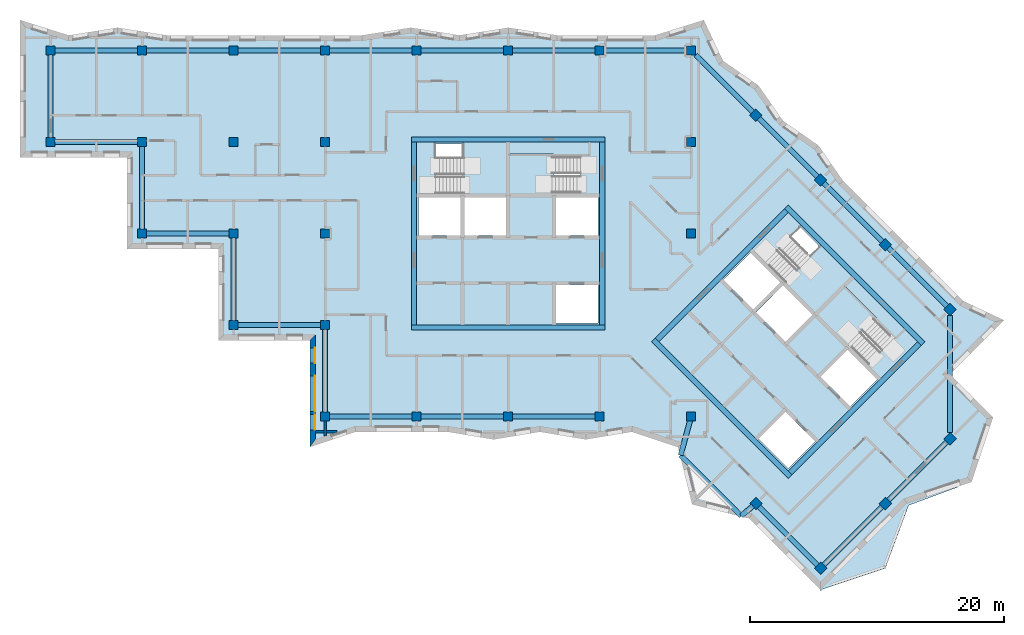
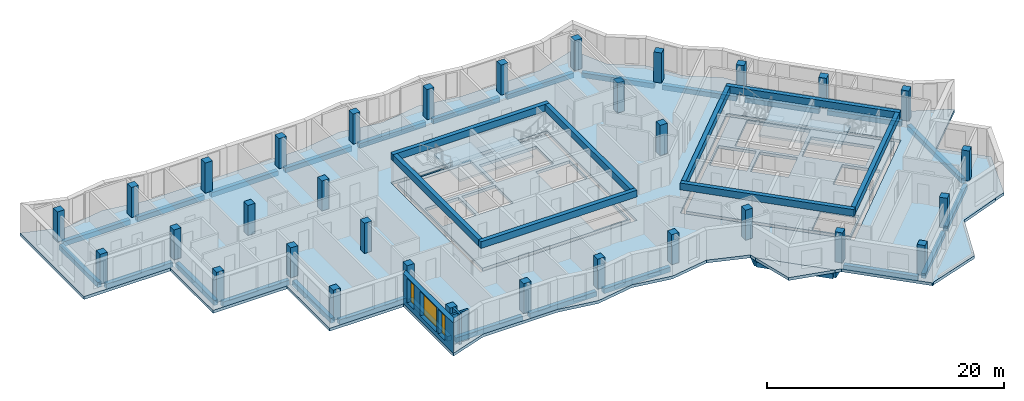
# One storey, part 1 of 12: 36 beams, 32 columns, 8 slabs, 3 walls, 3 windows, 17 openings, 4 elements without a shape of their own.
"""IFC4 building model written with IfcOpenShell, lengths in metres."""

from ifc_helpers import new_model, si_unit, direction, frame, frame_2d, origin, origin_2d, place, context, subcontext, project, spatial, polyline, rectangle, outline, extrude, material, layer, layer_set, material_profile, profile_set, type_object, element, fill, aggregate, save


model = new_model("IFC4")

# Units and contexts
model_context = context("Model", 3, precision=1e-05, world=origin(), true_north=direction((0.0, 1.0)))
body_context = subcontext(model_context, "Body", "Model", "MODEL_VIEW")
ifc_project = project(units=[si_unit("LENGTHUNIT", "METRE"), si_unit("AREAUNIT", "SQUARE_METRE"), si_unit("VOLUMEUNIT", "CUBIC_METRE"), si_unit("PLANEANGLEUNIT", "RADIAN"), si_unit("MASSUNIT", "GRAM", prefix="KILO")], contexts=[model_context])

# Site, building, storey
site_placement = place(None, origin())
site = spatial("IfcSite", under=ifc_project, at=site_placement, CompositionType="ELEMENT")
building_placement = place(site_placement, origin())
building = spatial("IfcBuilding", under=site, at=building_placement, Name="Windrow Commons", CompositionType="ELEMENT")
storey_placement = place(building_placement, frame((0.0, 0.0, 277.8)))
storey = spatial("IfcBuildingStorey", under=building, at=storey_placement, Name="L76", CompositionType="ELEMENT", Elevation=277.8)

# Columns
ifc_material_1 = material(Name="Concrete C40/50", Category="concrete")
ifc_material_profile_1 = material_profile(ifc_material_1, rectangle(XDim=0.7, YDim=0.7, at=origin_2d()))
ifc_profile_set_1 = profile_set([ifc_material_profile_1], Name="Concrete C40/50")
column_type = type_object("IfcColumnType", Name="RC COLUMN 700x700 C40/50", PredefinedType="COLUMN", material=ifc_profile_set_1)
for number, where, z_axis, x_axis, name in (
    (1, (28.8, 64.8, 0.0), (0.0, 0.0, 1.0), (1.0, 0.0, 0.0), "C-Z5-05I"),
    (2, (28.8, 72.0, 0.0), (0.0, 0.0, 1.0), (1.0, 0.0, 0.0), "C-Z5-05J"),
    (3, (36.0, 57.6, 0.0), (0.0, 0.0, 1.0), (1.0, 0.0, 0.0), "C-Z5-06H"),
    (4, (36.0, 64.8, 0.0), (0.0, 0.0, 1.0), (1.0, 0.0, 0.0), "C-Z5-06I"),
    (5, (36.0, 72.0, 0.0), (0.0, 0.0, 1.0), (1.0, 0.0, 0.0), "C-Z5-06J"),
    (6, (43.2, 50.4, 0.0), (0.0, 0.0, 1.0), (1.0, 0.0, 0.0), "C-Z5-07G"),
    (7, (43.2, 57.6, 0.0), (0.0, 0.0, 1.0), (1.0, 0.0, 0.0), "C-Z5-07H"),
    (8, (43.2, 64.8, 0.0), (0.0, 0.0, 1.0), (1.0, 0.0, 0.0), "C-Z5-07I"),
    (9, (43.2, 72.0, 0.0), (0.0, 0.0, 1.0), (1.0, 0.0, 0.0), "C-Z5-07J"),
    (10, (50.4, 43.2, 0.0), (0.0, 0.0, 1.0), (1.0, 0.0, 0.0), "C-Z5-08F"),
    (11, (50.4, 50.4, 0.0), (0.0, 0.0, 1.0), (1.0, 0.0, 0.0), "C-Z5-08G"),
    (12, (50.4, 57.6, 0.0), (0.0, 0.0, 1.0), (1.0, 0.0, 0.0), "C-Z5-08H"),
    (13, (50.4, 64.8, 0.0), (0.0, 0.0, 1.0), (1.0, 0.0, 0.0), "C-Z5-08I"),
    (14, (50.4, 72.0, 0.0), (0.0, 0.0, 1.0), (1.0, 0.0, 0.0), "C-Z5-08J"),
    (15, (57.6, 43.2, 0.0), (0.0, 0.0, 1.0), (1.0, 0.0, 0.0), "C-Z5-09F"),
    (16, (57.6, 72.0, 0.0), (0.0, 0.0, 1.0), (1.0, 0.0, 0.0), "C-Z5-09J"),
    (17, (64.8, 43.2, 0.0), (0.0, 0.0, 1.0), (1.0, 0.0, 0.0), "C-Z5-10F"),
    (18, (64.8, 72.0, 0.0), (0.0, 0.0, 1.0), (1.0, 0.0, 0.0), "C-Z5-10J"),
    (19, (72.0, 43.2, 0.0), (0.0, 0.0, 1.0), (1.0, 0.0, 0.0), "C-Z5-11F"),
    (20, (72.0, 72.0, 0.0), (0.0, 0.0, 1.0), (1.0, 0.0, 0.0), "C-Z5-11J"),
    (21, (79.2, 43.2, 0.0), (0.0, 0.0, 1.0), (1.0, 0.0, 0.0), "C-Z5-12F"),
    (22, (79.2, 57.6, 0.0), (0.0, 0.0, 1.0), (1.0, 0.0, 0.0), "C-Z5-12H"),
    (23, (79.2, 64.8, 0.0), (0.0, 0.0, 1.0), (1.0, 0.0, 0.0), "C-Z5-12I"),
    (24, (79.2, 72.0, 0.0), (0.0, 0.0, 1.0), (1.0, 0.0, 0.0), "C-Z5-12J"),
    (25, (84.2912, 66.9088, 0.0), (0.0, 0.0, 1.0), (0.7071067812, -0.7071067812, 0.0), "C-Z5-P2Q"),
    (26, (89.3823, 61.8177, 0.0), (0.0, 0.0, 1.0), (0.7071067812, -0.7071067812, 0.0), "C-Z5-P3Q"),
    (27, (94.4735, 56.7265, 0.0), (0.0, 0.0, 1.0), (0.7071067812, -0.7071067812, 0.0), "C-Z5-P4Q"),
    (28, (99.5647, 51.6353, 0.0), (0.0, 0.0, 1.0), (0.7071067812, -0.7071067812, 0.0), "C-Z5-P5Q"),
    (29, (84.2912, 36.3618, 0.0), (0.0, 0.0, 1.0), (0.7071067812, -0.7071067812, 0.0), "C-Z5-P5T"),
    (30, (99.5647, 41.453, 0.0), (0.0, 0.0, 1.0), (0.7071067812, -0.7071067812, 0.0), "C-Z5-P6R"),
    (31, (94.4735, 36.3618, 0.0), (0.0, 0.0, 1.0), (0.7071067812, -0.7071067812, 0.0), "C-Z5-P6S"),
    (32, (89.3823, 31.2706, 0.0), (0.0, 0.0, 1.0), (0.7071067812, -0.7071067812, 0.0), "C-Z5-P6T"),
):
    element("IfcColumn", number, at=place(storey_placement, frame(where, z_axis=z_axis, x_axis=x_axis)), inside=storey, type_object=column_type, Name=name, PredefinedType="COLUMN", context=body_context, shape_type="SweptSolid", body=[
        extrude(rectangle(XDim=0.7, YDim=0.7, at=origin_2d()), origin(), (0.0, 0.0, 1.0), 3.1),
    ])

# Beams
ifc_material_2 = material(Name="Concrete C40/50", Category="concrete")
ifc_material_profile_2 = material_profile(ifc_material_2, rectangle(XDim=0.4, YDim=0.7, at=origin_2d()))
ifc_profile_set_2 = profile_set([ifc_material_profile_2], Name="Concrete C40/50")
beam_type_1 = type_object("IfcBeamType", Name="RC COUPLING BEAM 400x700 C40/50", PredefinedType="LINTEL", material=ifc_profile_set_2)
for number, where, z_axis, x_axis, name in (
    (33, (57.2, 50.2, 2.75), (1.0, 0.0, 0.0), (0.0, 1.0, 0.0), "Core A coupling beam outer-S"),
    (34, (57.2, 65.0, 2.75), (1.0, 0.0, 0.0), (0.0, 1.0, 0.0), "Core A coupling beam outer-N"),
):
    element("IfcBeam", number, at=place(storey_placement, frame(where, z_axis=z_axis, x_axis=x_axis)), inside=storey, type_object=beam_type_1, Name=name, PredefinedType="LINTEL", context=body_context, shape_type="SweptSolid", body=[
        extrude(rectangle(XDim=0.4, YDim=0.7, at=origin_2d()), origin(), (0.0, 0.0, 1.0), 15.2),
    ])
for number, where, z_axis, x_axis, name in (
    (35, (57.4, 50.4, 2.75), (0.0, 1.0, 0.0), (-1.0, 0.0, 0.0), "Core A coupling beam outer-W"),
    (36, (72.2, 50.4, 2.75), (0.0, 1.0, 0.0), (-1.0, 0.0, 0.0), "Core A coupling beam outer-E"),
):
    element("IfcBeam", number, at=place(storey_placement, frame(where, z_axis=z_axis, x_axis=x_axis)), inside=storey, type_object=beam_type_1, Name=name, PredefinedType="LINTEL", context=body_context, shape_type="SweptSolid", body=[
        extrude(rectangle(XDim=0.4, YDim=0.7, at=origin_2d()), origin(), (0.0, 0.0, 1.0), 14.4),
    ])
for number, where, z_axis, x_axis, name in (
    (37, (76.2302, 49.2312, 2.75), (0.7071034917, -0.7071100706, 0.0), (0.7071100706, 0.7071034917, 0.0), "Core B coupling beam outer-S"),
    (38, (86.6953, 59.6963, 2.75), (0.7071100706, -0.7071034917, 0.0), (0.7071034917, 0.7071100706, 0.0), "Core B coupling beam outer-N"),
):
    element("IfcBeam", number, at=place(storey_placement, frame(where, z_axis=z_axis, x_axis=x_axis)), inside=storey, type_object=beam_type_1, Name=name, PredefinedType="LINTEL", context=body_context, shape_type="SweptSolid", body=[
        extrude(rectangle(XDim=0.4, YDim=0.7, at=origin_2d()), origin(), (0.0, 0.0, 1.0), 15.2),
    ])
for number, where, z_axis, x_axis, name in (
    (39, (76.513, 49.2312, 2.75), (0.7071067812, 0.7071067812, 0.0), (-0.7071067812, 0.7071067812, 0.0), "Core B coupling beam outer-W"),
    (40, (86.9782, 38.766, 2.75), (0.7071067812, 0.7071067812, 0.0), (-0.7071067812, 0.7071067812, 0.0), "Core B coupling beam outer-E"),
):
    element("IfcBeam", number, at=place(storey_placement, frame(where, z_axis=z_axis, x_axis=x_axis)), inside=storey, type_object=beam_type_1, Name=name, PredefinedType="LINTEL", context=body_context, shape_type="SweptSolid", body=[
        extrude(rectangle(XDim=0.4, YDim=0.7, at=origin_2d()), origin(), (0.0, 0.0, 1.0), 14.3999),
    ])
ifc_material_3 = material(Name="Concrete C40/50", Category="concrete")
ifc_material_profile_3 = material_profile(ifc_material_3, rectangle(XDim=0.4, YDim=0.5, at=origin_2d()))
ifc_profile_set_3 = profile_set([ifc_material_profile_3], Name="Concrete C40/50")
beam_type_2 = type_object("IfcBeamType", Name="RC EDGE BEAM 400x500 C40/50", PredefinedType="SPANDREL", material=ifc_profile_set_3)
beam_1_placement = place(storey_placement, frame((78.3682, 40.1634, -0.55), z_axis=(0.7071067812, -0.7071067812, 0.0), x_axis=(0.7071067812, 0.7071067812, 0.0)))
element("IfcBeam", 41, at=beam_1_placement, inside=storey, type_object=beam_type_2, Name="Terrace base beam TR-L76-1", PredefinedType="SPANDREL", context=body_context, shape_type="SweptSolid", body=[
    extrude(rectangle(XDim=0.4, YDim=0.5, at=origin_2d()), origin(), (0.0, 0.0, 1.0), 6.7441),
])
beam_2_placement = place(storey_placement, frame((79.1173, 42.8982, -0.55), z_axis=(-0.2641825699, -0.96447269, 0.0), x_axis=(0.96447269, -0.2641825699, 0.0)))
element("IfcBeam", 42, at=beam_2_placement, inside=storey, type_object=beam_type_2, Name="Terrace base bracket beam TR-L76-1.1", PredefinedType="SPANDREL", context=body_context, shape_type="SweptSolid", body=[
    extrude(rectangle(XDim=0.4, YDim=0.5, at=origin_2d()), origin(), (0.0, 0.0, 1.0), 2.8355),
])
beam_3_placement = place(storey_placement, frame((84.0602, 36.1682, -0.55), z_axis=(-0.766476295, -0.6422725973, 0.0), x_axis=(0.6422725973, -0.766476295, 0.0)))
element("IfcBeam", 43, at=beam_3_placement, inside=storey, type_object=beam_type_2, Name="Terrace base bracket beam TR-L76-1.2", PredefinedType="SPANDREL", context=body_context, shape_type="SweptSolid", body=[
    extrude(rectangle(XDim=0.4, YDim=0.5, at=origin_2d()), origin(), (0.0, 0.0, 1.0), 1.2045),
])
for number, where, z_axis, x_axis, name in (
    (44, (57.25, 43.2, -0.55), (-1.0, 0.0, 0.0), (0.0, -1.0, 0.0), "Edge beam L76 001"),
    (45, (50.4, 43.55, -0.55), (0.0, 1.0, 0.0), (-1.0, 0.0, 0.0), "Edge beam L76 002"),
    (46, (50.05, 50.4, -0.55), (-1.0, 0.0, 0.0), (0.0, -1.0, 0.0), "Edge beam L76 003"),
    (47, (43.2, 50.75, -0.55), (0.0, 1.0, 0.0), (-1.0, 0.0, 0.0), "Edge beam L76 004"),
    (48, (42.85, 57.6, -0.55), (-1.0, 0.0, 0.0), (0.0, -1.0, 0.0), "Edge beam L76 005"),
    (49, (36.0, 57.95, -0.55), (0.0, 1.0, 0.0), (-1.0, 0.0, 0.0), "Edge beam L76 006"),
    (50, (35.65, 64.8, -0.55), (-1.0, 0.0, 0.0), (0.0, -1.0, 0.0), "Edge beam L76 007"),
    (51, (28.8, 65.15, -0.55), (0.0, 1.0, 0.0), (-1.0, 0.0, 0.0), "Edge beam L76 008"),
    (52, (29.15, 72.0, -0.55), (1.0, 0.0, 0.0), (0.0, 1.0, 0.0), "Edge beam L76 009"),
    (53, (36.35, 72.0, -0.55), (1.0, 0.0, 0.0), (0.0, 1.0, 0.0), "Edge beam L76 010"),
    (54, (43.55, 72.0, -0.55), (1.0, 0.0, 0.0), (0.0, 1.0, 0.0), "Edge beam L76 011"),
    (55, (50.75, 72.0, -0.55), (1.0, 0.0, 0.0), (0.0, 1.0, 0.0), "Edge beam L76 012"),
    (56, (57.95, 72.0, -0.55), (1.0, 0.0, 0.0), (0.0, 1.0, 0.0), "Edge beam L76 013"),
    (57, (65.15, 72.0, -0.55), (1.0, 0.0, 0.0), (0.0, 1.0, 0.0), "Edge beam L76 014"),
    (58, (72.35, 72.0, -0.55), (1.0, 0.0, 0.0), (0.0, 1.0, 0.0), "Edge beam L76 015"),
):
    element("IfcBeam", number, at=place(storey_placement, frame(where, z_axis=z_axis, x_axis=x_axis)), inside=storey, type_object=beam_type_2, Name=name, PredefinedType="SPANDREL", context=body_context, shape_type="SweptSolid", body=[
        extrude(rectangle(XDim=0.4, YDim=0.5, at=origin_2d()), origin(), (0.0, 0.0, 1.0), 6.5),
    ])
beam_4_placement = place(storey_placement, frame((79.55, 71.65, -0.55), z_axis=(0.7071067812, -0.7071067812, 0.0), x_axis=(0.7071067812, 0.7071067812, 0.0)))
element("IfcBeam", 59, at=beam_4_placement, inside=storey, type_object=beam_type_2, Name="Edge beam L76 016", PredefinedType="SPANDREL", context=body_context, shape_type="SweptSolid", body=[
    extrude(rectangle(XDim=0.4, YDim=0.5, at=origin_2d()), origin(), (0.0, 0.0, 1.0), 6.3551),
])
beam_5_placement = place(storey_placement, frame((84.5387, 66.6613, -0.55), z_axis=(0.7071067812, -0.7071067812, 0.0), x_axis=(0.7071067812, 0.7071067812, 0.0)))
element("IfcBeam", 60, at=beam_5_placement, inside=storey, type_object=beam_type_2, Name="Edge beam L76 017", PredefinedType="SPANDREL", context=body_context, shape_type="SweptSolid", body=[
    extrude(rectangle(XDim=0.4, YDim=0.5, at=origin_2d()), origin(), (0.0, 0.0, 1.0), 6.4999),
])
for number, where, z_axis, x_axis, name in (
    (61, (89.6298, 61.5702, -0.55), (0.7071067812, -0.7071067812, 0.0), (0.7071067812, 0.7071067812, 0.0), "Edge beam L76 018"),
    (62, (94.721, 56.479, -0.55), (0.7071067812, -0.7071067812, 0.0), (0.7071067812, 0.7071067812, 0.0), "Edge beam L76 019"),
):
    element("IfcBeam", number, at=place(storey_placement, frame(where, z_axis=z_axis, x_axis=x_axis)), inside=storey, type_object=beam_type_2, Name=name, PredefinedType="SPANDREL", context=body_context, shape_type="SweptSolid", body=[
        extrude(rectangle(XDim=0.4, YDim=0.5, at=origin_2d()), origin(), (0.0, 0.0, 1.0), 6.5),
    ])
beam_6_placement = place(storey_placement, frame((99.5647, 51.1403, -0.55), z_axis=(0.0, -1.0, 0.0), x_axis=(1.0, 0.0, 0.0)))
element("IfcBeam", 63, at=beam_6_placement, inside=storey, type_object=beam_type_2, Name="Edge beam L76 020", PredefinedType="SPANDREL", context=body_context, shape_type="SweptSolid", body=[
    extrude(rectangle(XDim=0.4, YDim=0.5, at=origin_2d()), origin(), (0.0, 0.0, 1.0), 9.1923),
])
for number, where, z_axis, x_axis, name in (
    (64, (99.3172, 41.2055, -0.55), (-0.7071067812, -0.7071067812, 0.0), (0.7071067812, -0.7071067812, 0.0), "Edge beam L76 021"),
    (65, (94.226, 36.1143, -0.55), (-0.7071067812, -0.7071067812, 0.0), (0.7071067812, -0.7071067812, 0.0), "Edge beam L76 022"),
):
    element("IfcBeam", number, at=place(storey_placement, frame(where, z_axis=z_axis, x_axis=x_axis)), inside=storey, type_object=beam_type_2, Name=name, PredefinedType="SPANDREL", context=body_context, shape_type="SweptSolid", body=[
        extrude(rectangle(XDim=0.4, YDim=0.5, at=origin_2d()), origin(), (0.0, 0.0, 1.0), 6.5),
    ])
beam_7_placement = place(storey_placement, frame((89.1348, 31.5181, -0.55), z_axis=(-0.7070990888, 0.7071144735, 0.0), x_axis=(-0.7071144735, -0.7070990888, 0.0)))
element("IfcBeam", 66, at=beam_7_placement, inside=storey, type_object=beam_type_2, Name="Edge beam L76 023", PredefinedType="SPANDREL", context=body_context, shape_type="SweptSolid", body=[
    extrude(rectangle(XDim=0.4, YDim=0.5, at=origin_2d()), origin(), (0.0, 0.0, 1.0), 6.4999),
])
for number, where, z_axis, x_axis, name in (
    (67, (71.65, 43.2, -0.55), (-1.0, 0.0, 0.0), (0.0, -1.0, 0.0), "Edge beam L76 024"),
    (68, (64.45, 43.2, -0.55), (-1.0, 0.0, 0.0), (0.0, -1.0, 0.0), "Edge beam L76 025"),
):
    element("IfcBeam", number, at=place(storey_placement, frame(where, z_axis=z_axis, x_axis=x_axis)), inside=storey, type_object=beam_type_2, Name=name, PredefinedType="SPANDREL", context=body_context, shape_type="SweptSolid", body=[
        extrude(rectangle(XDim=0.4, YDim=0.5, at=origin_2d()), origin(), (0.0, 0.0, 1.0), 6.5),
    ])

# Slab, openings
ifc_material_4 = material(Name="Concrete C40/50", Category="concrete")
ifc_layer_1 = layer(ifc_material_4, 0.3)
ifc_layer_set_1 = layer_set([ifc_layer_1], Name="CORE FLOOR SLAB 300 C40/50")
slab_type_1 = type_object("IfcSlabType", Name="CORE FLOOR SLAB 300 C40/50", PredefinedType="FLOOR", material=ifc_layer_set_1)
placement_1 = place(storey_placement, frame((0.0, 0.0, -0.3)))
slab_1 = element("IfcSlab", 69, at=placement_1, inside=storey, type_object=slab_type_1, Name="S-L76-core-A", PredefinedType="FLOOR", context=body_context, shape_type="SweptSolid", body=[
    extrude(outline(polyline([(57.6, 50.4), (72.0, 50.4), (72.0, 64.8), (57.6, 64.8), (57.6, 50.4)]), holes=[polyline([(68.55, 50.55), (71.85, 50.55), (71.85, 53.55), (68.55, 53.55), (68.55, 50.55)]), polyline([(57.75, 57.45), (61.05, 57.45), (61.05, 60.45), (57.75, 60.45), (57.75, 57.45)]), polyline([(61.35, 57.45), (64.65, 57.45), (64.65, 60.45), (61.35, 60.45), (61.35, 57.45)]), polyline([(68.55, 57.45), (71.85, 57.45), (71.85, 60.45), (68.55, 60.45), (68.55, 57.45)]), polyline([(59.1, 60.75), (64.65, 60.75), (64.65, 64.65), (59.1, 64.65), (59.1, 60.75)]), polyline([(64.95, 60.75), (70.5, 60.75), (70.5, 63.705), (64.95, 63.705), (64.95, 60.75)])]), origin(), (0.0, 0.0, 1.0), 0.3),
])
opening_1_placement = place(placement_1, origin())
element("IfcOpeningElement", 70, at=opening_1_placement, cuts=slab_1, Name="Slab opening S-L76-core-A 1", PredefinedType="OPENING", context=body_context, shape_type="SweptSolid", body=[
    extrude(outline(polyline([(68.555, 50.555), (68.555, 53.545), (71.845, 53.545), (71.845, 50.555), (68.555, 50.555)])), origin(), (0.0, 0.0, 1.0), 0.3),
])
opening_2_placement = place(placement_1, origin())
element("IfcOpeningElement", 71, at=opening_2_placement, cuts=slab_1, Name="Slab opening S-L76-core-A 2", PredefinedType="OPENING", context=body_context, shape_type="SweptSolid", body=[
    extrude(outline(polyline([(57.755, 57.455), (57.755, 60.445), (61.045, 60.445), (61.045, 57.455), (57.755, 57.455)])), origin(), (0.0, 0.0, 1.0), 0.3),
])
opening_3_placement = place(placement_1, origin())
element("IfcOpeningElement", 72, at=opening_3_placement, cuts=slab_1, Name="Slab opening S-L76-core-A 3", PredefinedType="OPENING", context=body_context, shape_type="SweptSolid", body=[
    extrude(outline(polyline([(61.355, 57.455), (61.355, 60.445), (64.645, 60.445), (64.645, 57.455), (61.355, 57.455)])), origin(), (0.0, 0.0, 1.0), 0.3),
])
opening_4_placement = place(placement_1, origin())
element("IfcOpeningElement", 73, at=opening_4_placement, cuts=slab_1, Name="Slab opening S-L76-core-A 4", PredefinedType="OPENING", context=body_context, shape_type="SweptSolid", body=[
    extrude(outline(polyline([(68.555, 57.455), (68.555, 60.445), (71.845, 60.445), (71.845, 57.455), (68.555, 57.455)])), origin(), (0.0, 0.0, 1.0), 0.3),
])
opening_5_placement = place(placement_1, origin())
element("IfcOpeningElement", 74, at=opening_5_placement, cuts=slab_1, Name="Slab opening S-L76-core-A 5", PredefinedType="OPENING", context=body_context, shape_type="SweptSolid", body=[
    extrude(outline(polyline([(59.105, 60.755), (59.105, 64.645), (64.645, 64.645), (64.645, 60.755), (59.105, 60.755)])), origin(), (0.0, 0.0, 1.0), 0.3),
])
opening_6_placement = place(placement_1, origin())
element("IfcOpeningElement", 75, at=opening_6_placement, cuts=slab_1, Name="Slab opening S-L76-core-A 6", PredefinedType="OPENING", context=body_context, shape_type="SweptSolid", body=[
    extrude(outline(polyline([(64.955, 60.755), (64.955, 63.7), (70.495, 63.7), (70.495, 60.755), (64.955, 60.755)])), origin(), (0.0, 0.0, 1.0), 0.3),
])

slab_2 = element("IfcSlab", 76, at=placement_1, inside=storey, type_object=slab_type_1, Name="S-L76-core-B", PredefinedType="FLOOR", context=body_context, shape_type="SweptSolid", body=[
    extrude(outline(polyline([(76.6544, 49.0897), (86.8368, 38.9074), (97.0191, 49.0897), (86.8368, 59.2721), (76.6544, 49.0897)]), holes=[polyline([(84.5033, 41.453), (86.8368, 39.1195), (88.9581, 41.2409), (86.6246, 43.5743), (84.5033, 41.453)]), polyline([(81.7456, 53.9688), (84.079, 51.6353), (86.2004, 53.7566), (83.8669, 56.0901), (81.7456, 53.9688)]), polyline([(84.2912, 51.4232), (86.6246, 49.0897), (88.7459, 51.2111), (86.4125, 53.5445), (84.2912, 51.4232)]), polyline([(89.3823, 46.332), (91.7158, 43.9986), (93.8371, 46.1199), (91.5037, 48.4533), (89.3823, 46.332)]), polyline([(85.0336, 55.3476), (88.9581, 51.4232), (91.7158, 54.1809), (87.7913, 58.1054), (85.0336, 55.3476)]), polyline([(89.1702, 51.2111), (93.0946, 47.2866), (95.1841, 49.3761), (91.2597, 53.3006), (89.1702, 51.2111)])]), origin(), (0.0, 0.0, 1.0), 0.3),
])
opening_7_placement = place(placement_1, origin())
element("IfcOpeningElement", 77, at=opening_7_placement, cuts=slab_2, Name="Slab opening S-L76-core-B 1", PredefinedType="OPENING", context=body_context, shape_type="SweptSolid", body=[
    extrude(outline(polyline([(84.5104, 41.453), (86.6246, 43.5672), (88.951, 41.2409), (86.8368, 39.1266), (84.5104, 41.453)])), origin(), (0.0, 0.0, 1.0), 0.3),
])
opening_8_placement = place(placement_1, origin())
element("IfcOpeningElement", 78, at=opening_8_placement, cuts=slab_2, Name="Slab opening S-L76-core-B 2", PredefinedType="OPENING", context=body_context, shape_type="SweptSolid", body=[
    extrude(outline(polyline([(81.7527, 53.9688), (83.8669, 56.083), (86.1933, 53.7566), (84.079, 51.6424), (81.7527, 53.9688)])), origin(), (0.0, 0.0, 1.0), 0.3),
])
opening_9_placement = place(placement_1, origin())
element("IfcOpeningElement", 79, at=opening_9_placement, cuts=slab_2, Name="Slab opening S-L76-core-B 3", PredefinedType="OPENING", context=body_context, shape_type="SweptSolid", body=[
    extrude(outline(polyline([(84.2983, 51.4232), (86.4125, 53.5374), (88.7388, 51.2111), (86.6246, 49.0968), (84.2983, 51.4232)])), origin(), (0.0, 0.0, 1.0), 0.3),
])
opening_10_placement = place(placement_1, origin())
element("IfcOpeningElement", 80, at=opening_10_placement, cuts=slab_2, Name="Slab opening S-L76-core-B 4", PredefinedType="OPENING", context=body_context, shape_type="SweptSolid", body=[
    extrude(outline(polyline([(89.3894, 46.332), (91.5037, 48.4462), (93.83, 46.1199), (91.7158, 44.0057), (89.3894, 46.332)])), origin(), (0.0, 0.0, 1.0), 0.3),
])
opening_11_placement = place(placement_1, origin())
element("IfcOpeningElement", 81, at=opening_11_placement, cuts=slab_2, Name="Slab opening S-L76-core-B 5", PredefinedType="OPENING", context=body_context, shape_type="SweptSolid", body=[
    extrude(outline(polyline([(85.0407, 55.3476), (87.7913, 58.0983), (91.7087, 54.1809), (88.9581, 51.4303), (85.0407, 55.3476)])), origin(), (0.0, 0.0, 1.0), 0.3),
])
opening_12_placement = place(placement_1, origin())
element("IfcOpeningElement", 82, at=opening_12_placement, cuts=slab_2, Name="Slab opening S-L76-core-B 6", PredefinedType="OPENING", context=body_context, shape_type="SweptSolid", body=[
    extrude(outline(polyline([(89.1773, 51.2111), (91.2597, 53.2935), (95.177, 49.3761), (93.0946, 47.2937), (89.1773, 51.2111)])), origin(), (0.0, 0.0, 1.0), 0.3),
])

# Stair, slab
ifc_material_5 = material(Name="Concrete C40/50", Category="concrete")
stair_type = type_object("IfcStairType", Name="Core stair", PredefinedType="HALF_TURN_STAIR", material=ifc_material_5)
placement_2 = place(storey_placement, origin())
stair_1 = element("IfcStair", 83, at=placement_2, inside=storey, type_object=stair_type, Name="L76 Exit stair A1 core A", PredefinedType="HALF_TURN_STAIR")
ifc_material_6 = material(Name="Concrete C40/50", Category="concrete")
ifc_layer_2 = layer(ifc_material_6, 0.2)
ifc_layer_set_2 = layer_set([ifc_layer_2], Name="Core stair landing")
slab_type_2 = type_object("IfcSlabType", Name="Core stair landing", PredefinedType="LANDING", material=ifc_layer_set_2)
placement_3 = place(storey_placement, frame((0.0, 0.0, 1.5)))
slab_3 = element("IfcSlab", 84, at=placement_3, type_object=slab_type_2, Name="ST-A1 landing 1", PredefinedType="LANDING", context=body_context, shape_type="SweptSolid", body=[
    extrude(outline(polyline([(61.22, 60.5), (64.8, 60.5), (64.8, 64.9), (61.22, 64.9), (61.22, 60.5)])), origin(), (0.0, 0.0, 1.0), 0.2),
])
aggregate(stair_1, [slab_3])

stair_2 = element("IfcStair", 85, at=placement_2, inside=storey, type_object=stair_type, Name="L76 Exit stair A2 core A", PredefinedType="HALF_TURN_STAIR")
slab_4 = element("IfcSlab", 86, at=placement_3, type_object=slab_type_2, Name="ST-A2 landing 1", PredefinedType="LANDING", context=body_context, shape_type="SweptSolid", body=[
    extrude(outline(polyline([(64.8, 60.5), (68.38, 60.5), (68.38, 63.855), (64.8, 63.855), (64.8, 60.5)])), origin(), (0.0, 0.0, 1.0), 0.2),
])
aggregate(stair_2, [slab_4])

stair_3 = element("IfcStair", 87, at=placement_2, inside=storey, type_object=stair_type, Name="L76 Exit stair B1 core B", PredefinedType="HALF_TURN_STAIR")
slab_5 = element("IfcSlab", 88, at=placement_3, type_object=slab_type_2, Name="ST-B1 landing 1", PredefinedType="LANDING", context=body_context, shape_type="SweptSolid", body=[
    extrude(outline(polyline([(86.3559, 53.6718), (88.8874, 51.1403), (91.9986, 54.2516), (89.4672, 56.7831), (86.3559, 53.6718)])), origin(), (0.0, 0.0, 1.0), 0.2),
])
aggregate(stair_3, [slab_5])

stair_4 = element("IfcStair", 89, at=placement_2, inside=storey, type_object=stair_type, Name="L76 Exit stair B2 core B", PredefinedType="HALF_TURN_STAIR")
slab_6 = element("IfcSlab", 90, at=placement_3, type_object=slab_type_2, Name="ST-B2 landing 1", PredefinedType="LANDING", context=body_context, shape_type="SweptSolid", body=[
    extrude(outline(polyline([(88.8874, 51.1403), (91.4188, 48.6089), (93.7911, 50.9812), (91.2597, 53.5127), (88.8874, 51.1403)])), origin(), (0.0, 0.0, 1.0), 0.2),
])
aggregate(stair_4, [slab_6])

# Slab, openings
ifc_material_7 = material(Name="Concrete C40/50", Category="concrete")
ifc_layer_3 = layer(ifc_material_7, 0.3)
ifc_layer_set_3 = layer_set([ifc_layer_3], Name="FLOOR SLAB 300 C40/50")
slab_type_3 = type_object("IfcSlabType", Name="FLOOR SLAB 300 C40/50", PredefinedType="FLOOR", material=ifc_layer_set_3)
slab_7 = element("IfcSlab", 91, at=placement_1, inside=storey, type_object=slab_type_3, Name="S-L76-floor", PredefinedType="FLOOR", context=body_context, shape_type="SweptSolid", body=[
    extrude(outline(polyline([(94.4735, 31.2706), (96.312, 36.2204), (99.6015, 37.4422), (100.1662, 37.6304), (100.1463, 37.687), (101.2617, 38.0588), (102.9588, 43.15), (99.5647, 46.5442), (103.8094, 50.7889), (100.5974, 52.2997), (95.8746, 57.0225), (91.1518, 61.7453), (89.2168, 64.5331), (86.429, 66.4681), (84.4939, 69.2559), (81.7062, 71.1909), (80.1954, 74.403), (76.3527, 73.2), (68.6672, 73.2), (64.8244, 73.803), (60.9817, 73.2), (57.1389, 73.803), (53.2962, 73.2), (37.9252, 73.2), (34.0825, 73.803), (30.2397, 73.2), (26.397, 74.403), (26.397, 63.6), (34.8, 63.6), (34.8, 56.4), (42.0, 56.4), (42.0, 49.2), (49.2, 49.2), (49.2, 40.797), (52.8199, 42.0), (60.0596, 42.0), (63.6795, 41.397), (67.2993, 42.0), (70.9192, 41.397), (74.539, 42.0), (78.1589, 40.797), (78.2975, 40.2341), (83.2077, 35.3239), (83.7706, 35.1853), (89.3752, 29.5807), (89.3328, 29.5382), (89.3399, 29.5312), (89.3442, 29.5272), (89.349, 29.5237), (89.354, 29.5207), (89.3593, 29.5182), (89.3649, 29.5162), (89.3706, 29.5148), (89.3764, 29.5139), (89.3823, 29.5136), (89.3882, 29.5139), (89.394, 29.5148), (89.3997, 29.5162), (89.4053, 29.5182), (89.4106, 29.5207), (89.4156, 29.5237), (89.4204, 29.5272), (89.4247, 29.5312), (89.5096, 29.616), (94.4735, 31.2706)]), holes=[polyline([(76.0887, 49.0897), (86.8368, 59.8378), (97.5848, 49.0897), (86.8368, 38.3417), (76.0887, 49.0897)]), polyline([(57.2, 50.0), (57.2, 65.2), (72.4, 65.2), (72.4, 50.0), (57.2, 50.0)])]), origin(), (0.0, 0.0, 1.0), 0.3),
])
opening_13_placement = place(placement_1, origin())
element("IfcOpeningElement", 92, at=opening_13_placement, cuts=slab_7, Name="Slab opening S-L76-floor 1", PredefinedType="OPENING", context=body_context, shape_type="SweptSolid", body=[
    extrude(outline(polyline([(76.0958, 49.0897), (86.8368, 59.8307), (97.5777, 49.0897), (86.8368, 38.3488), (76.0958, 49.0897)])), origin(), (0.0, 0.0, 1.0), 0.3),
])
opening_14_placement = place(placement_1, origin())
element("IfcOpeningElement", 93, at=opening_14_placement, cuts=slab_7, Name="Slab opening S-L76-floor 2", PredefinedType="OPENING", context=body_context, shape_type="SweptSolid", body=[
    extrude(outline(polyline([(57.205, 50.005), (57.205, 65.195), (72.395, 65.195), (72.395, 50.005), (57.205, 50.005)])), origin(), (0.0, 0.0, 1.0), 0.3),
])

# Slab
ifc_material_8 = material(Name="Concrete C40/50", Category="concrete")
ifc_layer_4 = layer(ifc_material_8, 0.3)
ifc_layer_set_4 = layer_set([ifc_layer_4], Name="TERRACE SLAB 300 C40/50")
slab_type_4 = type_object("IfcSlabType", Name="TERRACE SLAB 300 C40/50", PredefinedType="FLOOR", material=ifc_layer_set_4)
element("IfcSlab", 94, at=placement_1, inside=storey, type_object=slab_type_4, Name="Terrace slab TR-L76-1", PredefinedType="FLOOR", context=body_context, shape_type="SweptSolid", body=[
    extrude(outline(polyline([(80.2828, 36.0441), (80.4589, 36.0007), (80.459, 36.0012), (83.2064, 35.3246), (78.2982, 40.2328), (79.2676, 36.2961), (79.2672, 36.296), (79.2677, 36.2941), (80.2828, 36.0441)])), origin(), (0.0, 0.0, 1.0), 0.3),
])

# Wall, openings, windows
ifc_material_9 = material(Name="Brick masonry, red clay brick", Category="masonry")
ifc_layer_5 = layer(ifc_material_9, 0.45)
ifc_layer_set_5 = layer_set([ifc_layer_5], Name="Brick facade wall 450")
wall_type_1 = type_object("IfcWallType", Name="Brick facade wall 450", PredefinedType="SOLIDWALL", material=ifc_layer_set_5)
wall_1_placement = place(storey_placement, frame((49.425, 49.425, 0.0), z_axis=(0.0, 0.0, 1.0), x_axis=(0.0, -1.0, 0.0)))
wall_1 = element("IfcWall", 95, at=wall_1_placement, inside=storey, type_object=wall_type_1, Name="Brick facade wall L76 31", PredefinedType="SOLIDWALL", context=body_context, shape_type="SweptSolid", body=[
    extrude(outline(polyline([(0.225, -0.225), (8.628, -0.225), (8.0043, 0.225), (-0.225, 0.225), (0.225, -0.225)])), origin(), (0.0, 0.0, 1.0), 3.1),
])
opening_15_placement = place(wall_1_placement, frame((3.025, 0.0, 0.45)))
opening_15 = element("IfcOpeningElement", 96, at=opening_15_placement, cuts=wall_1, Name="Opening W1V", PredefinedType="OPENING", context=body_context, shape_type="SweptSolid", body=[
    extrude(rectangle(XDim=2.8, YDim=2.55, at=frame_2d((1.4, 1.275))), frame((0.0, 0.235, 0.0), z_axis=(0.0, -1.0, 0.0), x_axis=(1.0, 0.0, 0.0)), (0.0, 0.0, 1.0), 0.47),
])
opening_16_placement = place(wall_1_placement, frame((0.8125, 0.0, 0.45)))
opening_16 = element("IfcOpeningElement", 97, at=opening_16_placement, cuts=wall_1, Name="Opening W7F", PredefinedType="OPENING", context=body_context, shape_type="SweptSolid", body=[
    extrude(rectangle(XDim=1.2, YDim=2.55, at=frame_2d((0.6, 1.275))), frame((0.0, 0.235, 0.0), z_axis=(0.0, -1.0, 0.0), x_axis=(1.0, 0.0, 0.0)), (0.0, 0.0, 1.0), 0.47),
])
opening_17_placement = place(wall_1_placement, frame((6.0646, 0.0, 0.45)))
opening_17 = element("IfcOpeningElement", 98, at=opening_17_placement, cuts=wall_1, Name="Opening W7F", PredefinedType="OPENING", context=body_context, shape_type="SweptSolid", body=[
    extrude(rectangle(XDim=1.2, YDim=2.55, at=frame_2d((0.6, 1.275))), frame((0.0, 0.235, 0.0), z_axis=(0.0, -1.0, 0.0), x_axis=(1.0, 0.0, 0.0)), (0.0, 0.0, 1.0), 0.47),
])
ifc_material_10 = material(Name="Clear float glass in anodised aluminium frame", Category="aluminium")
window_type_1 = type_object("IfcWindowType", Name="Window W1V bedroom 2800x2550", PartitioningType="SINGLE_PANEL", PredefinedType="WINDOW", material=ifc_material_10)
window_1_placement = place(opening_15_placement, origin())
window_1 = element("IfcWindow", 99, at=window_1_placement, inside=storey, type_object=window_type_1, Name="Window L76 31.1", OverallHeight=2.55, OverallWidth=2.8, PartitioningType="SINGLE_PANEL", PredefinedType="WINDOW", context=body_context, shape_type="SweptSolid", body=[
    extrude(rectangle(XDim=2.8, YDim=2.55, at=frame_2d((1.4, 1.275))), frame((0.0, 0.205, 0.0), z_axis=(0.0, -1.0, 0.0), x_axis=(1.0, 0.0, 0.0)), (0.0, 0.0, 1.0), 0.06),
])
fill(opening_15, window_1)
ifc_material_11 = material(Name="Clear float glass in anodised aluminium frame", Category="aluminium")
window_type_2 = type_object("IfcWindowType", Name="Window W7 notch 1200x2550", PartitioningType="SINGLE_PANEL", PredefinedType="WINDOW", material=ifc_material_11)
window_2_placement = place(opening_16_placement, origin())
window_2 = element("IfcWindow", 100, at=window_2_placement, inside=storey, type_object=window_type_2, Name="Window L76 31.2", OverallHeight=2.55, OverallWidth=1.2, PartitioningType="SINGLE_PANEL", PredefinedType="WINDOW", context=body_context, shape_type="SweptSolid", body=[
    extrude(rectangle(XDim=1.2, YDim=2.55, at=frame_2d((0.6, 1.275))), frame((0.0, 0.205, 0.0), z_axis=(0.0, -1.0, 0.0), x_axis=(1.0, 0.0, 0.0)), (0.0, 0.0, 1.0), 0.06),
])
fill(opening_16, window_2)
window_3_placement = place(opening_17_placement, origin())
window_3 = element("IfcWindow", 101, at=window_3_placement, inside=storey, type_object=window_type_2, Name="Window L76 31.3", OverallHeight=2.55, OverallWidth=1.2, PartitioningType="SINGLE_PANEL", PredefinedType="WINDOW", context=body_context, shape_type="SweptSolid", body=[
    extrude(rectangle(XDim=1.2, YDim=2.55, at=frame_2d((0.6, 1.275))), frame((0.0, 0.205, 0.0), z_axis=(0.0, -1.0, 0.0), x_axis=(1.0, 0.0, 0.0)), (0.0, 0.0, 1.0), 0.06),
])
fill(opening_17, window_3)

# Walls
ifc_material_12 = material(Name="Blockwork partition", Category="masonry")
ifc_layer_6 = layer(ifc_material_12, 0.2)
ifc_layer_set_6 = layer_set([ifc_layer_6], Name="IW-PARTY-200")
wall_type_2 = type_object("IfcWallType", Name="IW-PARTY-200", PredefinedType="PARTITIONING", material=ifc_layer_set_6)
wall_2_placement = place(storey_placement, frame((49.65, 42.0, 0.0), z_axis=(0.0, 0.0, 1.0), x_axis=(1.0, 0.0, 0.0)))
element("IfcWall", 102, at=wall_2_placement, inside=storey, type_object=wall_type_2, Name="W-L76-W101", PredefinedType="PARTITIONING", context=body_context, shape_type="SweptSolid", body=[
    extrude(rectangle(XDim=1.693, YDim=0.2, at=frame_2d((0.8465, 0.0))), origin(), (0.0, 0.0, 1.0), 3.1),
])
wall_3_placement = place(storey_placement, frame((50.4, 41.67, 0.0), z_axis=(0.0, 0.0, 1.0), x_axis=(0.0, 1.0, 0.0)))
element("IfcWall", 103, at=wall_3_placement, inside=storey, type_object=wall_type_2, Name="W-L76-W113", PredefinedType="PARTITIONING", context=body_context, shape_type="SweptSolid", body=[
    extrude(rectangle(XDim=1.18, YDim=0.2, at=frame_2d((0.59, 0.0))), origin(), (0.0, 0.0, 1.0), 3.1),
])

save(model, "model.ifc")
